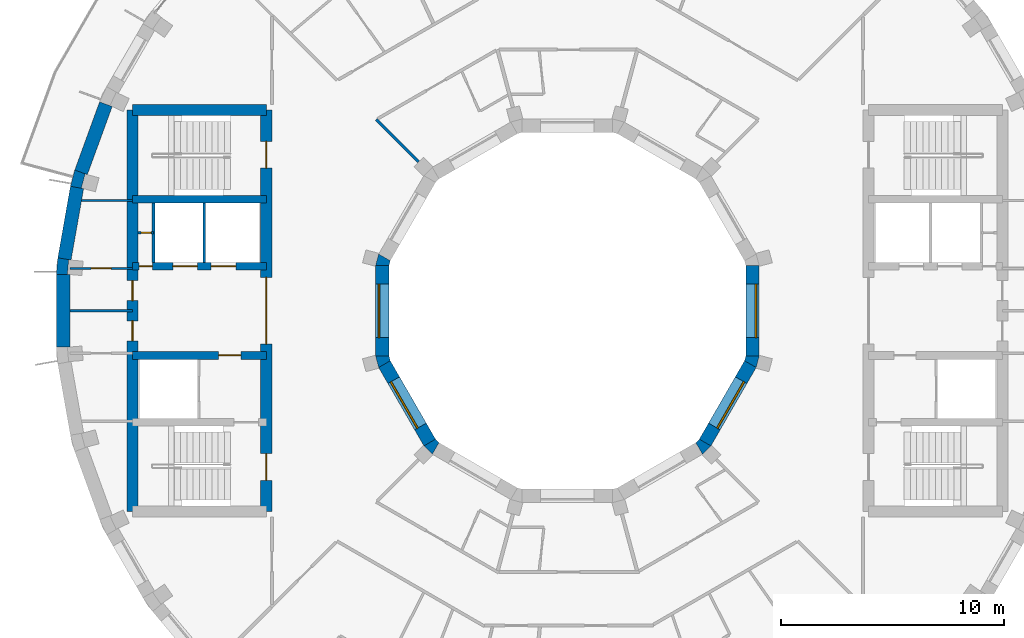
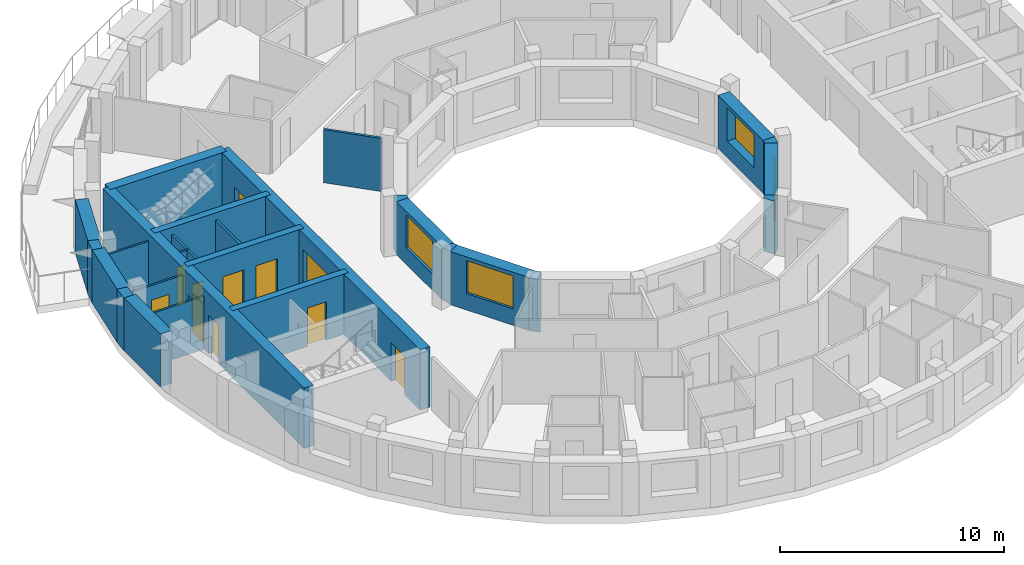
# One storey, part 6 of 12: 27 walls, 11 doors, 4 windows, 15 openings.
"""IFC4 building model written with IfcOpenShell, lengths in metres."""

from ifc_helpers import new_model, si_unit, direction, frame, frame_2d, origin, place, context, subcontext, project, spatial, polyline, rectangle, outline, extrude, material, layer, layer_set, type_object, element, fill, save


model = new_model("IFC4")

# Units and contexts
model_context = context("Model", 3, precision=1e-05, world=origin(), true_north=direction((0.0, 1.0)))
body_context = subcontext(model_context, "Body", "Model", "MODEL_VIEW")
ifc_project = project(units=[si_unit("LENGTHUNIT", "METRE"), si_unit("AREAUNIT", "SQUARE_METRE"), si_unit("VOLUMEUNIT", "CUBIC_METRE"), si_unit("PLANEANGLEUNIT", "RADIAN"), si_unit("MASSUNIT", "GRAM", prefix="KILO")], contexts=[model_context])

# Site, building, storey
site_placement = place(None, origin())
site = spatial("IfcSite", under=ifc_project, at=site_placement, CompositionType="ELEMENT")
building_placement = place(site_placement, origin())
building = spatial("IfcBuilding", under=site, at=building_placement, Name="Saqina Gate Tower", CompositionType="ELEMENT")
storey_placement = place(building_placement, frame((0.0, 0.0, 236.300048828125)))
storey = spatial("IfcBuildingStorey", under=building, at=storey_placement, Name="L67", CompositionType="ELEMENT", Elevation=236.300048828125)

# Walls
ifc_material_1 = material(Name="Brick masonry (buff)", Category="masonry")
wall_type_1 = type_object("IfcWallType", Name="BRICK PIER COPING BUFF", PredefinedType="SOLIDWALL", material=ifc_material_1)
wall_1_placement = place(storey_placement, origin())
element("IfcWall", 1, at=wall_1_placement, inside=storey, type_object=wall_type_1, Name="Pier cap L67 column 17", PredefinedType="SOLIDWALL", context=body_context, shape_type="SweptSolid", body=[
    extrude(outline(polyline([(-22.281982421875, 5.579833984375), (-21.691162109375, 5.4755859375), (-21.793212890625, 5.5029296875), (-21.625, 6.130859375), (-21.52294921875, 6.103515625), (-22.0869140625, 6.30859375), (-22.281982421875, 5.579833984375)])), origin(), (0.0, 0.0, 1.0), 2.89990234375),
])
wall_2_placement = place(storey_placement, origin())
element("IfcWall", 2, at=wall_2_placement, inside=storey, type_object=wall_type_1, Name="Pier cap L67 column 18", PredefinedType="SOLIDWALL", context=body_context, shape_type="SweptSolid", body=[
    extrude(outline(polyline([(-22.8466796875, 2.377685546875), (-22.91259765625, 1.625732421875), (-22.3125, 1.625732421875), (-22.417724609375, 1.635009765625), (-22.361083984375, 2.28271484375), (-22.255859375, 2.2734375), (-22.8466796875, 2.377685546875)])), origin(), (0.0, 0.0, 1.0), 2.89990234375),
])

# Wall, opening, door
ifc_material_2 = material(Name="Gypsum board on steel studs", Category="steel")
ifc_layer_1 = layer(ifc_material_2, 0.10009765625)
ifc_layer_set_1 = layer_set([ifc_layer_1], Name="CORE PARTITION")
wall_type_2 = type_object("IfcWallType", Name="CORE PARTITION", PredefinedType="PARTITIONING", material=ifc_layer_set_1)
wall_3_placement = place(storey_placement, frame((-18.56005859375, 3.5, 0.0), z_axis=(0.0, 0.0, 1.0), x_axis=(-1.0, 0.0, 0.0)))
wall_3 = element("IfcWall", 3, at=wall_3_placement, inside=storey, type_object=wall_type_2, Name="L67-CP-W01", PredefinedType="PARTITIONING", context=body_context, shape_type="SweptSolid", body=[
    extrude(rectangle(XDim=0.68994140625, YDim=0.10009765625, at=frame_2d((0.344970703125, 0.0))), origin(), (0.0, 0.0, 1.0), 2.89990234375),
])
opening_1_placement = place(wall_3_placement, frame((0.10009765625, 0.0, 0.0)))
opening_1 = element("IfcOpeningElement", 4, at=opening_1_placement, cuts=wall_3, Name="Opening G19-D107", PredefinedType="OPENING", context=body_context, shape_type="SweptSolid", body=[
    extrude(rectangle(XDim=0.449951171875, YDim=2.10009765625, at=frame_2d((0.22509765625, 1.050048828125))), frame((0.0, 0.06201171875, 0.0), z_axis=(0.0, -1.0, 0.0), x_axis=(1.0, 0.0, 0.0)), (0.0, 0.0, 1.0), 0.1240234375),
])
ifc_material_3 = material(Name="Steel-framed fire door leaf, EI 60", Category="steel")
door_type_1 = type_object("IfcDoorType", Name="SERVICE ROOM DOOR 450", OperationType="SINGLE_SWING_LEFT", PredefinedType="DOOR", material=ifc_material_3)
door_1_placement = place(opening_1_placement, origin())
door_1 = element("IfcDoor", 5, at=door_1_placement, inside=storey, type_object=door_type_1, Name="L67-CD-W18", OperationType="SINGLE_SWING_RIGHT", OverallHeight=2.10009765625, OverallWidth=0.449951171875, PredefinedType="DOOR", context=body_context, shape_type="SweptSolid", body=[
    extrude(rectangle(XDim=0.449951171875, YDim=2.10009765625, at=frame_2d((0.22509765625, 1.050048828125))), frame((0.0, 0.02490234375, 0.0), z_axis=(0.0, -1.0, 0.0), x_axis=(1.0, 0.0, 0.0)), (0.0, 0.0, 1.0), 0.050048828125),
])
fill(opening_1, door_1)

# Wall
wall_4_placement = place(storey_placement, frame((-19.5, 4.949951171875, 0.0), z_axis=(0.0, 0.0, 1.0), x_axis=(-1.0, 0.0, 0.0)))
element("IfcWall", 6, at=wall_4_placement, inside=storey, type_object=wall_type_2, Name="L67-CP-W02", PredefinedType="PARTITIONING", context=body_context, shape_type="SweptSolid", body=[
    extrude(rectangle(XDim=2.283935546875, YDim=0.10009765625, at=frame_2d((1.14208984375, 0.0))), origin(), (0.0, 0.0, 1.0), 2.89990234375),
])

# Wall, opening, door
wall_5_placement = place(storey_placement, frame((-19.5, 1.89990234375, 0.0), z_axis=(0.0, 0.0, 1.0), x_axis=(-1.0, 0.0, 0.0)))
wall_5 = element("IfcWall", 7, at=wall_5_placement, inside=storey, type_object=wall_type_2, Name="L67-CP-W03", PredefinedType="PARTITIONING", context=body_context, shape_type="SweptSolid", body=[
    extrude(rectangle(XDim=2.8125, YDim=0.10009765625, at=frame_2d((1.40625, 0.0))), origin(), (0.0, 0.0, 1.0), 2.89990234375),
])
opening_2_placement = place(wall_5_placement, frame((0.956298828125, 0.0, 0.0)))
opening_2 = element("IfcOpeningElement", 8, at=opening_2_placement, cuts=wall_5, Name="Opening G19-D103", PredefinedType="OPENING", context=body_context, shape_type="SweptSolid", body=[
    extrude(rectangle(XDim=0.89990234375, YDim=2.10009765625, at=frame_2d((0.449951171875, 1.050048828125))), frame((0.0, 0.06201171875, 0.0), z_axis=(0.0, -1.0, 0.0), x_axis=(1.0, 0.0, 0.0)), (0.0, 0.0, 1.0), 0.1240234375),
])
ifc_material_4 = material(Name="Steel-framed fire door leaf, EI 60", Category="steel")
door_type_2 = type_object("IfcDoorType", Name="SERVICE ROOM DOOR 900", OperationType="SINGLE_SWING_LEFT", PredefinedType="DOOR", material=ifc_material_4)
door_2_placement = place(opening_2_placement, frame((0.89990234375, 0.0, 0.0), z_axis=(0.0, 0.0, 1.0), x_axis=(-1.0, 0.0, 0.0)))
door_2 = element("IfcDoor", 9, at=door_2_placement, inside=storey, type_object=door_type_2, Name="L67-CD-W14", OperationType="SINGLE_SWING_LEFT", OverallHeight=2.10009765625, OverallWidth=0.89990234375, PredefinedType="DOOR", context=body_context, shape_type="SweptSolid", body=[
    extrude(rectangle(XDim=0.89990234375, YDim=2.10009765625, at=frame_2d((0.449951171875, 1.050048828125))), frame((0.0, 0.02490234375, 0.0), z_axis=(0.0, -1.0, 0.0), x_axis=(1.0, 0.0, 0.0)), (0.0, 0.0, 1.0), 0.050048828125),
])
fill(opening_2, door_2)

# Walls
wall_6_placement = place(storey_placement, frame((-19.5, 0.0, 0.0), z_axis=(0.0, 0.0, 1.0), x_axis=(-1.0, 0.0, 0.0)))
element("IfcWall", 10, at=wall_6_placement, inside=storey, type_object=wall_type_2, Name="L67-CP-W06", PredefinedType="PARTITIONING", context=body_context, shape_type="SweptSolid", body=[
    extrude(rectangle(XDim=2.8125, YDim=0.10009765625, at=frame_2d((1.40625, 0.0))), origin(), (0.0, 0.0, 1.0), 2.89990234375),
])
ifc_material_5 = material(Name="Glazed ceramic tile", Category="ceramic")
ifc_layer_2 = layer(ifc_material_5, 0.60009765625)
ifc_layer_set_2 = layer_set([ifc_layer_2], Name="FW-TILE")
wall_type_3 = type_object("IfcWallType", Name="FW-TILE", PredefinedType="SOLIDWALL", material=ifc_layer_set_2)
wall_7_placement = place(storey_placement, frame((-20.692626953125, 9.26171875, 0.0), z_axis=(0.0, 0.0, 1.0), x_axis=(-0.342056509473, -0.939679383794, 0.0)))
element("IfcWall", 11, at=wall_7_placement, inside=storey, type_object=wall_type_3, Name="Facade wall L67 facet 16", PredefinedType="SOLIDWALL", context=body_context, shape_type="SweptSolid", body=[
    extrude(rectangle(XDim=3.251708984375, YDim=0.60009765625, at=frame_2d((1.6259765625, 0.0))), origin(), (0.0, 0.0, 1.0), 2.89990234375),
])
wall_8_placement = place(storey_placement, frame((-22.612548828125, 1.625732421875, 0.0), z_axis=(0.0, 0.0, 1.0), x_axis=(0.0, -1.0, 0.0)))
element("IfcWall", 12, at=wall_8_placement, inside=storey, type_object=wall_type_3, Name="Facade wall L67 facet 18", PredefinedType="SOLIDWALL", context=body_context, shape_type="SweptSolid", body=[
    extrude(rectangle(XDim=3.25146484375, YDim=0.60009765625, at=frame_2d((1.625732421875, 0.0))), origin(), (0.0, 0.0, 1.0), 2.89990234375),
])
ifc_material_6 = material(Name="Glazed ceramic tile (white)", Category="ceramic")
ifc_layer_3 = layer(ifc_material_6, 0.60009765625)
ifc_layer_set_3 = layer_set([ifc_layer_3], Name="FW-TILE-WH")
wall_type_4 = type_object("IfcWallType", Name="FW-TILE-WH", PredefinedType="SOLIDWALL", material=ifc_layer_set_3)
wall_9_placement = place(storey_placement, frame((-21.986572265625, 5.52783203125, 0.0), z_axis=(0.0, 0.0, 1.0), x_axis=(-0.173656842178, -0.984806225186, 0.0)))
element("IfcWall", 13, at=wall_9_placement, inside=storey, type_object=wall_type_4, Name="Facade wall L67 facet 17", PredefinedType="SOLIDWALL", context=body_context, shape_type="SweptSolid", body=[
    extrude(rectangle(XDim=3.251708984375, YDim=0.60009765625, at=frame_2d((1.6259765625, 0.0))), origin(), (0.0, 0.0, 1.0), 2.89990234375),
])

# Wall, opening, window
ifc_material_7 = material(Name="Glazed ceramic tile", Category="ceramic")
ifc_layer_4 = layer(ifc_material_7, 0.60009765625)
ifc_layer_set_4 = layer_set([ifc_layer_4], Name="IW-TILE")
wall_type_5 = type_object("IfcWallType", Name="IW-TILE", PredefinedType="SOLIDWALL", material=ifc_layer_set_4)
wall_10_placement = place(storey_placement, frame((-8.300048828125, 2.029296875, 0.0), z_axis=(0.0, 0.0, 1.0), x_axis=(0.0, -1.0, 0.0)))
wall_10 = element("IfcWall", 14, at=wall_10_placement, inside=storey, type_object=wall_type_5, Name="Well wall L67 facet 6", PredefinedType="SOLIDWALL", context=body_context, shape_type="SweptSolid", body=[
    extrude(rectangle(XDim=4.05859375, YDim=0.60009765625, at=frame_2d((2.029296875, 0.0))), origin(), (0.0, 0.0, 1.0), 2.89990234375),
])
opening_3_placement = place(wall_10_placement, frame((0.829345703125, 0.0, 0.89990234375)))
opening_3 = element("IfcOpeningElement", 15, at=opening_3_placement, cuts=wall_10, Name="Opening G19-W28", PredefinedType="OPENING", context=body_context, shape_type="SweptSolid", body=[
    extrude(rectangle(XDim=2.39990234375, YDim=1.800048828125, at=frame_2d((1.199951171875, 0.89990234375))), frame((0.0, 0.31201171875, 0.0), z_axis=(0.0, -1.0, 0.0), x_axis=(1.0, 0.0, 0.0)), (0.0, 0.0, 1.0), 0.6240234375),
])
ifc_material_8 = material(Name="Aluminium glazing", Category="aluminium")
window_type = type_object("IfcWindowType", Name="WN-W", PartitioningType="SINGLE_PANEL", PredefinedType="WINDOW", material=ifc_material_8)
window_1_placement = place(opening_3_placement, origin())
window_1 = element("IfcWindow", 16, at=window_1_placement, inside=storey, type_object=window_type, Name="Well window L67 facet 6", OverallHeight=1.800048828125, OverallWidth=2.39990234375, PartitioningType="SINGLE_PANEL", PredefinedType="WINDOW", context=body_context, shape_type="SweptSolid", body=[
    extrude(rectangle(XDim=2.39990234375, YDim=1.800048828125, at=frame_2d((1.199951171875, 0.89990234375))), frame((0.0, -0.119873046875, 0.0), z_axis=(0.0, -1.0, 0.0), x_axis=(1.0, 0.0, 0.0)), (0.0, 0.0, 1.0), 0.06005859375),
])
fill(opening_3, window_1)

wall_11_placement = place(storey_placement, frame((-8.20263671875, -2.392578125, 0.0), z_axis=(0.0, 0.0, 1.0), x_axis=(0.499994954979, -0.866028316509, 0.0)))
wall_11 = element("IfcWall", 17, at=wall_11_placement, inside=storey, type_object=wall_type_5, Name="Well wall L67 facet 7", PredefinedType="SOLIDWALL", context=body_context, shape_type="SweptSolid", body=[
    extrude(rectangle(XDim=4.05859375, YDim=0.60009765625, at=frame_2d((2.029296875, 0.0))), origin(), (0.0, 0.0, 1.0), 2.89990234375),
])
opening_4_placement = place(wall_11_placement, frame((0.829345703125, 0.0, 0.89990234375)))
opening_4 = element("IfcOpeningElement", 18, at=opening_4_placement, cuts=wall_11, Name="Opening G19-W29", PredefinedType="OPENING", context=body_context, shape_type="SweptSolid", body=[
    extrude(rectangle(XDim=2.39990234375, YDim=1.800048828125, at=frame_2d((1.199951171875, 0.89990234375))), frame((0.0, 0.31201171875, 0.0), z_axis=(0.0, -1.0, 0.0), x_axis=(1.0, 0.0, 0.0)), (0.0, 0.0, 1.0), 0.6240234375),
])
window_2_placement = place(opening_4_placement, origin())
window_2 = element("IfcWindow", 19, at=window_2_placement, inside=storey, type_object=window_type, Name="Well window L67 facet 7", OverallHeight=1.800048828125, OverallWidth=2.39990234375, PartitioningType="SINGLE_PANEL", PredefinedType="WINDOW", context=body_context, shape_type="SweptSolid", body=[
    extrude(rectangle(XDim=2.39990234375, YDim=1.800048828125, at=frame_2d((1.199951171875, 0.89990234375))), frame((0.0, -0.119873046875, 0.0), z_axis=(0.0, -1.0, 0.0), x_axis=(1.0, 0.0, 0.0)), (0.0, 0.0, 1.0), 0.06005859375),
])
fill(opening_4, window_2)

wall_12_placement = place(storey_placement, frame((6.17333984375, -5.907470703125, 0.0), z_axis=(0.0, 0.0, 1.0), x_axis=(0.499994954979, 0.866028316509, 0.0)))
wall_12 = element("IfcWall", 20, at=wall_12_placement, inside=storey, type_object=wall_type_5, Name="Well wall L67 facet 11", PredefinedType="SOLIDWALL", context=body_context, shape_type="SweptSolid", body=[
    extrude(rectangle(XDim=4.05859375, YDim=0.60009765625, at=frame_2d((2.029296875, 0.0))), origin(), (0.0, 0.0, 1.0), 2.89990234375),
])
opening_5_placement = place(wall_12_placement, frame((0.829345703125, 0.0, 0.89990234375)))
opening_5 = element("IfcOpeningElement", 21, at=opening_5_placement, cuts=wall_12, Name="Opening G19-W33", PredefinedType="OPENING", context=body_context, shape_type="SweptSolid", body=[
    extrude(rectangle(XDim=2.39990234375, YDim=1.800048828125, at=frame_2d((1.199951171875, 0.89990234375))), frame((0.0, 0.31201171875, 0.0), z_axis=(0.0, -1.0, 0.0), x_axis=(1.0, 0.0, 0.0)), (0.0, 0.0, 1.0), 0.6240234375),
])
window_3_placement = place(opening_5_placement, origin())
window_3 = element("IfcWindow", 22, at=window_3_placement, inside=storey, type_object=window_type, Name="Well window L67 facet 11", OverallHeight=1.800048828125, OverallWidth=2.39990234375, PartitioningType="SINGLE_PANEL", PredefinedType="WINDOW", context=body_context, shape_type="SweptSolid", body=[
    extrude(rectangle(XDim=2.39990234375, YDim=1.800048828125, at=frame_2d((1.199951171875, 0.89990234375))), frame((0.0, -0.119873046875, 0.0), z_axis=(0.0, -1.0, 0.0), x_axis=(1.0, 0.0, 0.0)), (0.0, 0.0, 1.0), 0.06005859375),
])
fill(opening_5, window_3)

wall_13_placement = place(storey_placement, frame((8.300048828125, -2.029296875, 0.0), z_axis=(0.0, 0.0, 1.0), x_axis=(0.0, 1.0, 0.0)))
wall_13 = element("IfcWall", 23, at=wall_13_placement, inside=storey, type_object=wall_type_5, Name="Well wall L67 facet 12", PredefinedType="SOLIDWALL", context=body_context, shape_type="SweptSolid", body=[
    extrude(rectangle(XDim=4.05859375, YDim=0.60009765625, at=frame_2d((2.029296875, 0.0))), origin(), (0.0, 0.0, 1.0), 2.89990234375),
])
opening_6_placement = place(wall_13_placement, frame((0.829345703125, 0.0, 0.89990234375)))
opening_6 = element("IfcOpeningElement", 24, at=opening_6_placement, cuts=wall_13, Name="Opening G19-W34", PredefinedType="OPENING", context=body_context, shape_type="SweptSolid", body=[
    extrude(rectangle(XDim=2.39990234375, YDim=1.800048828125, at=frame_2d((1.199951171875, 0.89990234375))), frame((0.0, 0.31201171875, 0.0), z_axis=(0.0, -1.0, 0.0), x_axis=(1.0, 0.0, 0.0)), (0.0, 0.0, 1.0), 0.6240234375),
])
window_4_placement = place(opening_6_placement, origin())
window_4 = element("IfcWindow", 25, at=window_4_placement, inside=storey, type_object=window_type, Name="Well window L67 facet 12", OverallHeight=1.800048828125, OverallWidth=2.39990234375, PartitioningType="SINGLE_PANEL", PredefinedType="WINDOW", context=body_context, shape_type="SweptSolid", body=[
    extrude(rectangle(XDim=2.39990234375, YDim=1.800048828125, at=frame_2d((1.199951171875, 0.89990234375))), frame((0.0, -0.119873046875, 0.0), z_axis=(0.0, -1.0, 0.0), x_axis=(1.0, 0.0, 0.0)), (0.0, 0.0, 1.0), 0.06005859375),
])
fill(opening_6, window_4)

# Walls
ifc_material_9 = material(Name="Gypsum board on steel studs, 125 mm, fire rated", Category="steel")
ifc_layer_5 = layer(ifc_material_9, 0.125)
ifc_layer_set_5 = layer_set([ifc_layer_5], Name="PARTITION EI 30 125")
wall_type_6 = type_object("IfcWallType", Name="PARTITION EI 30 125", PredefinedType="PARTITIONING", material=ifc_layer_set_5)
wall_14_placement = place(storey_placement, frame((-8.572021484375, 8.572021484375, 0.0), z_axis=(0.0, 0.0, 1.0), x_axis=(0.707106781187, -0.707106781187, 0.0)))
element("IfcWall", 26, at=wall_14_placement, inside=storey, type_object=wall_type_6, Name="PARTITION PW1-05", PredefinedType="PARTITIONING", context=body_context, shape_type="SweptSolid", body=[
    extrude(rectangle(XDim=2.680419921875, YDim=0.125, at=frame_2d((1.34033203125, 0.0))), origin(), (0.0, 0.0, 1.0), 2.89990234375),
])
ifc_material_10 = material(Name="Autoclaved aerated concrete block", Category="concrete")
ifc_layer_6 = layer(ifc_material_10, 0.1201171875)
ifc_layer_set_6 = layer_set([ifc_layer_6], Name="SHAFT PARTITION")
wall_type_7 = type_object("IfcWallType", Name="SHAFT PARTITION", PredefinedType="PARTITIONING", material=ifc_layer_set_6)
for number, where, z_axis, x_axis, name in (
    (27, (-16.280029296875, 2.175048828125, 0.0), (0.0, 0.0, 1.0), (0.0, 1.0, 0.0), "L67-CP-W07"),
    (28, (-18.56005859375, 2.175048828125, 0.0), (0.0, 0.0, 1.0), (0.0, 1.0, 0.0), "L67-CP-W08"),
):
    element("IfcWall", number, at=place(storey_placement, frame(where, z_axis=z_axis, x_axis=x_axis)), inside=storey, type_object=wall_type_7, Name=name, PredefinedType="PARTITIONING", context=body_context, shape_type="SweptSolid", body=[
        extrude(rectangle(XDim=2.64990234375, YDim=0.1201171875, at=frame_2d((1.324951171875, 0.0))), origin(), (0.0, 0.0, 1.0), 2.89990234375),
    ])
ifc_material_11 = material(Name="Concrete C60/75", Category="concrete")
ifc_layer_7 = layer(ifc_material_11, 0.35009765625)
ifc_layer_set_7 = layer_set([ifc_layer_7], Name="Concrete C60/75")
wall_type_8 = type_object("IfcWallType", Name="STR-CORE WALL-D-I", PredefinedType="SHEAR", material=ifc_layer_set_7)
wall_15_placement = place(storey_placement, frame((-13.5, 5.0, 0.0), z_axis=(0.0, 0.0, 1.0), x_axis=(-1.0, 0.0, 0.0)))
element("IfcWall", 29, at=wall_15_placement, inside=storey, type_object=wall_type_8, Name="CORE WALL L67 W-X1", PredefinedType="SHEAR", context=body_context, shape_type="SweptSolid", body=[
    extrude(rectangle(XDim=6.0, YDim=0.35009765625, at=frame_2d((3.0, 0.0))), origin(), (0.0, 0.0, 1.0), 3.300048828125),
])

# Wall, openings, doors
wall_16_placement = place(storey_placement, frame((-13.5, 2.0, 0.0), z_axis=(0.0, 0.0, 1.0), x_axis=(-1.0, 0.0, 0.0)))
wall_16 = element("IfcWall", 30, at=wall_16_placement, inside=storey, type_object=wall_type_8, Name="CORE WALL L67 W-L1", PredefinedType="SHEAR", context=body_context, shape_type="SweptSolid", body=[
    extrude(rectangle(XDim=6.0, YDim=0.35009765625, at=frame_2d((3.0, 0.0))), origin(), (0.0, 0.0, 1.0), 3.300048828125),
])
opening_7_placement = place(wall_16_placement, frame((1.3701171875, 0.0, 0.0)))
opening_7 = element("IfcOpeningElement", 31, at=opening_7_placement, cuts=wall_16, Name="Opening G19-LD4", PredefinedType="OPENING", context=body_context, shape_type="SweptSolid", body=[
    extrude(rectangle(XDim=1.10009765625, YDim=2.10009765625, at=frame_2d((0.550048828125, 1.050048828125))), frame((0.0, 0.18701171875, 0.0), z_axis=(0.0, -1.0, 0.0), x_axis=(1.0, 0.0, 0.0)), (0.0, 0.0, 1.0), 0.3740234375),
])
opening_8_placement = place(wall_16_placement, frame((3.090087890625, 0.0, 0.0)))
opening_8 = element("IfcOpeningElement", 32, at=opening_8_placement, cuts=wall_16, Name="Opening G19-LD5", PredefinedType="OPENING", context=body_context, shape_type="SweptSolid", body=[
    extrude(rectangle(XDim=1.10009765625, YDim=2.10009765625, at=frame_2d((0.550048828125, 1.050048828125))), frame((0.0, 0.18701171875, 0.0), z_axis=(0.0, -1.0, 0.0), x_axis=(1.0, 0.0, 0.0)), (0.0, 0.0, 1.0), 0.3740234375),
])
opening_9_placement = place(wall_16_placement, frame((5.10498046875, 0.0, 0.0)))
opening_9 = element("IfcOpeningElement", 33, at=opening_9_placement, cuts=wall_16, Name="Opening G19-D101", PredefinedType="OPENING", context=body_context, shape_type="SweptSolid", body=[
    extrude(rectangle(XDim=0.60009765625, YDim=2.10009765625, at=frame_2d((0.300048828125, 1.050048828125))), frame((0.0, 0.18701171875, 0.0), z_axis=(0.0, -1.0, 0.0), x_axis=(1.0, 0.0, 0.0)), (0.0, 0.0, 1.0), 0.3740234375),
])
ifc_material_12 = material(Name="Stainless steel", Category="steel")
door_type_3 = type_object("IfcDoorType", Name="LANDING DOOR", OperationType="DOUBLE_DOOR_SLIDING", PredefinedType="DOOR", material=ifc_material_12)
door_3_placement = place(opening_7_placement, origin())
door_3 = element("IfcDoor", 34, at=door_3_placement, inside=storey, type_object=door_type_3, Name="LANDING DOOR HR3", OperationType="DOUBLE_DOOR_SLIDING", OverallHeight=2.10009765625, OverallWidth=1.10009765625, PredefinedType="DOOR", context=body_context, shape_type="SweptSolid", body=[
    extrude(rectangle(XDim=1.10009765625, YDim=2.10009765625, at=frame_2d((0.550048828125, 1.050048828125))), frame((0.0, 0.02490234375, 0.0), z_axis=(0.0, -1.0, 0.0), x_axis=(1.0, 0.0, 0.0)), (0.0, 0.0, 1.0), 0.050048828125),
])
fill(opening_7, door_3)
door_4_placement = place(opening_8_placement, origin())
door_4 = element("IfcDoor", 35, at=door_4_placement, inside=storey, type_object=door_type_3, Name="LANDING DOOR HR4", OperationType="DOUBLE_DOOR_SLIDING", OverallHeight=2.10009765625, OverallWidth=1.10009765625, PredefinedType="DOOR", context=body_context, shape_type="SweptSolid", body=[
    extrude(rectangle(XDim=1.10009765625, YDim=2.10009765625, at=frame_2d((0.550048828125, 1.050048828125))), frame((0.0, 0.02490234375, 0.0), z_axis=(0.0, -1.0, 0.0), x_axis=(1.0, 0.0, 0.0)), (0.0, 0.0, 1.0), 0.050048828125),
])
fill(opening_8, door_4)
ifc_material_13 = material(Name="Steel-framed fire door leaf, EI 60", Category="steel")
door_type_4 = type_object("IfcDoorType", Name="SERVICE ROOM DOOR 600", OperationType="SINGLE_SWING_LEFT", PredefinedType="DOOR", material=ifc_material_13)
door_5_placement = place(opening_9_placement, frame((0.60009765625, 0.0, 0.0), z_axis=(0.0, 0.0, 1.0), x_axis=(-1.0, 0.0, 0.0)))
door_5 = element("IfcDoor", 36, at=door_5_placement, inside=storey, type_object=door_type_4, Name="L67-CD-W12", OperationType="SINGLE_SWING_LEFT", OverallHeight=2.10009765625, OverallWidth=0.60009765625, PredefinedType="DOOR", context=body_context, shape_type="SweptSolid", body=[
    extrude(rectangle(XDim=0.60009765625, YDim=2.10009765625, at=frame_2d((0.300048828125, 1.050048828125))), frame((0.0, 0.02490234375, 0.0), z_axis=(0.0, -1.0, 0.0), x_axis=(1.0, 0.0, 0.0)), (0.0, 0.0, 1.0), 0.050048828125),
])
fill(opening_9, door_5)

# Wall, opening, door
wall_17_placement = place(storey_placement, frame((-13.5, -2.0, 0.0), z_axis=(0.0, 0.0, 1.0), x_axis=(-1.0, 0.0, 0.0)))
wall_17 = element("IfcWall", 37, at=wall_17_placement, inside=storey, type_object=wall_type_8, Name="CORE WALL L67 W-L2", PredefinedType="SHEAR", context=body_context, shape_type="SweptSolid", body=[
    extrude(rectangle(XDim=6.0, YDim=0.35009765625, at=frame_2d((3.0, 0.0))), origin(), (0.0, 0.0, 1.0), 3.300048828125),
])
opening_10_placement = place(wall_17_placement, frame((1.139892578125, 0.0, 0.0)))
opening_10 = element("IfcOpeningElement", 38, at=opening_10_placement, cuts=wall_17, Name="Opening G19-D102", PredefinedType="OPENING", context=body_context, shape_type="SweptSolid", body=[
    extrude(rectangle(XDim=1.0, YDim=2.10009765625, at=frame_2d((0.5, 1.050048828125))), frame((0.0, 0.18701171875, 0.0), z_axis=(0.0, -1.0, 0.0), x_axis=(1.0, 0.0, 0.0)), (0.0, 0.0, 1.0), 0.3740234375),
])
ifc_material_14 = material(Name="Steel", Category="steel")
door_type_5 = type_object("IfcDoorType", Name="FIRE LOBBY DOOR EI 60", OperationType="SINGLE_SWING_LEFT", PredefinedType="DOOR", material=ifc_material_14)
door_6_placement = place(opening_10_placement, frame((1.0, 0.0, 0.0), z_axis=(0.0, 0.0, 1.0), x_axis=(-1.0, 0.0, 0.0)))
door_6 = element("IfcDoor", 39, at=door_6_placement, inside=storey, type_object=door_type_5, Name="L67-CD-W13", OperationType="SINGLE_SWING_RIGHT", OverallHeight=2.10009765625, OverallWidth=1.0, PredefinedType="DOOR", context=body_context, shape_type="SweptSolid", body=[
    extrude(rectangle(XDim=1.0, YDim=2.10009765625, at=frame_2d((0.5, 1.050048828125))), frame((0.0, 0.02490234375, 0.0), z_axis=(0.0, -1.0, 0.0), x_axis=(1.0, 0.0, 0.0)), (0.0, 0.0, 1.0), 0.050048828125),
])
fill(opening_10, door_6)

# Wall, openings, doors
ifc_material_15 = material(Name="Concrete C60/75", Category="concrete")
ifc_layer_8 = layer(ifc_material_15, 0.5)
ifc_layer_set_8 = layer_set([ifc_layer_8], Name="Concrete C60/75")
wall_type_9 = type_object("IfcWallType", Name="STR-CORE WALL-D-O", PredefinedType="SHEAR", material=ifc_layer_set_8)
wall_18_placement = place(storey_placement, frame((-13.5, -9.0, 0.0), z_axis=(0.0, 0.0, 1.0), x_axis=(0.0, 1.0, 0.0)))
wall_18 = element("IfcWall", 40, at=wall_18_placement, inside=storey, type_object=wall_type_9, Name="CORE WALL L67 W-W1", PredefinedType="SHEAR", context=body_context, shape_type="SweptSolid", body=[
    extrude(rectangle(XDim=18.0, YDim=0.5, at=frame_2d((9.0, 0.0))), origin(), (0.0, 0.0, 1.0), 3.300048828125),
])
opening_11_placement = place(wall_18_placement, frame((15.39990234375, 0.0, 0.0)))
opening_11 = element("IfcOpeningElement", 41, at=opening_11_placement, cuts=wall_18, Name="Opening G19-D109", PredefinedType="OPENING", context=body_context, shape_type="SweptSolid", body=[
    extrude(rectangle(XDim=1.199951171875, YDim=2.10009765625, at=frame_2d((0.60009765625, 1.050048828125))), frame((0.0, 0.261962890625, 0.0), z_axis=(0.0, -1.0, 0.0), x_axis=(1.0, 0.0, 0.0)), (0.0, 0.0, 1.0), 0.52392578125),
])
opening_12_placement = place(wall_18_placement, frame((1.39990234375, 0.0, 0.0)))
opening_12 = element("IfcOpeningElement", 42, at=opening_12_placement, cuts=wall_18, Name="Opening G19-D110", PredefinedType="OPENING", context=body_context, shape_type="SweptSolid", body=[
    extrude(rectangle(XDim=1.199951171875, YDim=2.10009765625, at=frame_2d((0.60009765625, 1.050048828125))), frame((0.0, 0.261962890625, 0.0), z_axis=(0.0, -1.0, 0.0), x_axis=(1.0, 0.0, 0.0)), (0.0, 0.0, 1.0), 0.52392578125),
])
opening_13_placement = place(wall_18_placement, frame((7.5, 0.0, 0.0)))
opening_13 = element("IfcOpeningElement", 43, at=opening_13_placement, cuts=wall_18, Name="Opening G19-D111", PredefinedType="OPENING", context=body_context, shape_type="SweptSolid", body=[
    extrude(rectangle(XDim=3.0, YDim=2.39990234375, at=frame_2d((1.5, 1.199951171875))), frame((0.0, 0.261962890625, 0.0), z_axis=(0.0, -1.0, 0.0), x_axis=(1.0, 0.0, 0.0)), (0.0, 0.0, 1.0), 0.52392578125),
])
ifc_material_16 = material(Name="Steel", Category="steel")
door_type_6 = type_object("IfcDoorType", Name="FIRE DOOR EI 60", OperationType="SINGLE_SWING_LEFT", PredefinedType="DOOR", material=ifc_material_16)
door_7_placement = place(opening_11_placement, origin())
door_7 = element("IfcDoor", 44, at=door_7_placement, inside=storey, type_object=door_type_6, Name="L67-CD-W20", OperationType="SINGLE_SWING_RIGHT", OverallHeight=2.10009765625, OverallWidth=1.199951171875, PredefinedType="DOOR", context=body_context, shape_type="SweptSolid", body=[
    extrude(rectangle(XDim=1.199951171875, YDim=2.10009765625, at=frame_2d((0.60009765625, 1.050048828125))), frame((0.0, 0.02490234375, 0.0), z_axis=(0.0, -1.0, 0.0), x_axis=(1.0, 0.0, 0.0)), (0.0, 0.0, 1.0), 0.050048828125),
])
fill(opening_11, door_7)
door_8_placement = place(opening_12_placement, origin())
door_8 = element("IfcDoor", 45, at=door_8_placement, inside=storey, type_object=door_type_6, Name="L67-CD-W21", OperationType="SINGLE_SWING_LEFT", OverallHeight=2.10009765625, OverallWidth=1.199951171875, PredefinedType="DOOR", context=body_context, shape_type="SweptSolid", body=[
    extrude(rectangle(XDim=1.199951171875, YDim=2.10009765625, at=frame_2d((0.60009765625, 1.050048828125))), frame((0.0, 0.02490234375, 0.0), z_axis=(0.0, -1.0, 0.0), x_axis=(1.0, 0.0, 0.0)), (0.0, 0.0, 1.0), 0.050048828125),
])
fill(opening_12, door_8)
ifc_material_17 = material(Name="Steel and fire-resisting glass", Category="steel")
door_type_7 = type_object("IfcDoorType", Name="LOBBY SCREEN DOOR", OperationType="DOUBLE_DOOR_SLIDING", PredefinedType="DOOR", material=ifc_material_17)
door_9_placement = place(opening_13_placement, origin())
door_9 = element("IfcDoor", 46, at=door_9_placement, inside=storey, type_object=door_type_7, Name="L67-CD-W22", OperationType="DOUBLE_DOOR_SLIDING", OverallHeight=2.39990234375, OverallWidth=3.0, PredefinedType="DOOR", context=body_context, shape_type="SweptSolid", body=[
    extrude(rectangle(XDim=3.0, YDim=2.39990234375, at=frame_2d((1.5, 1.199951171875))), frame((0.0, 0.02490234375, 0.0), z_axis=(0.0, -1.0, 0.0), x_axis=(1.0, 0.0, 0.0)), (0.0, 0.0, 1.0), 0.050048828125),
])
fill(opening_13, door_9)

wall_19_placement = place(storey_placement, frame((-19.5, -9.0, 0.0), z_axis=(0.0, 0.0, 1.0), x_axis=(0.0, 1.0, 0.0)))
wall_19 = element("IfcWall", 47, at=wall_19_placement, inside=storey, type_object=wall_type_9, Name="CORE WALL L67 W-W2", PredefinedType="SHEAR", context=body_context, shape_type="SweptSolid", body=[
    extrude(rectangle(XDim=18.0, YDim=0.5, at=frame_2d((9.0, 0.0))), origin(), (0.0, 0.0, 1.0), 3.300048828125),
])
opening_14_placement = place(wall_19_placement, frame((9.449951171875, 0.0, 0.0)))
opening_14 = element("IfcOpeningElement", 48, at=opening_14_placement, cuts=wall_19, Name="Opening G19-D104", PredefinedType="OPENING", context=body_context, shape_type="SweptSolid", body=[
    extrude(rectangle(XDim=0.89990234375, YDim=2.10009765625, at=frame_2d((0.449951171875, 1.050048828125))), frame((0.0, 0.261962890625, 0.0), z_axis=(0.0, -1.0, 0.0), x_axis=(1.0, 0.0, 0.0)), (0.0, 0.0, 1.0), 0.52392578125),
])
opening_15_placement = place(wall_19_placement, frame((7.64990234375, 0.0, 0.0)))
opening_15 = element("IfcOpeningElement", 49, at=opening_15_placement, cuts=wall_19, Name="Opening G19-D106", PredefinedType="OPENING", context=body_context, shape_type="SweptSolid", body=[
    extrude(rectangle(XDim=0.89990234375, YDim=2.10009765625, at=frame_2d((0.449951171875, 1.050048828125))), frame((0.0, 0.261962890625, 0.0), z_axis=(0.0, -1.0, 0.0), x_axis=(1.0, 0.0, 0.0)), (0.0, 0.0, 1.0), 0.52392578125),
])
door_10_placement = place(opening_14_placement, origin())
door_10 = element("IfcDoor", 50, at=door_10_placement, inside=storey, type_object=door_type_2, Name="L67-CD-W15", OperationType="SINGLE_SWING_RIGHT", OverallHeight=2.10009765625, OverallWidth=0.89990234375, PredefinedType="DOOR", context=body_context, shape_type="SweptSolid", body=[
    extrude(rectangle(XDim=0.89990234375, YDim=2.10009765625, at=frame_2d((0.449951171875, 1.050048828125))), frame((0.0, 0.02490234375, 0.0), z_axis=(0.0, -1.0, 0.0), x_axis=(1.0, 0.0, 0.0)), (0.0, 0.0, 1.0), 0.050048828125),
])
fill(opening_14, door_10)
door_11_placement = place(opening_15_placement, origin())
door_11 = element("IfcDoor", 51, at=door_11_placement, inside=storey, type_object=door_type_2, Name="L67-CD-W17", OperationType="SINGLE_SWING_LEFT", OverallHeight=2.10009765625, OverallWidth=0.89990234375, PredefinedType="DOOR", context=body_context, shape_type="SweptSolid", body=[
    extrude(rectangle(XDim=0.89990234375, YDim=2.10009765625, at=frame_2d((0.449951171875, 1.050048828125))), frame((0.0, 0.02490234375, 0.0), z_axis=(0.0, -1.0, 0.0), x_axis=(1.0, 0.0, 0.0)), (0.0, 0.0, 1.0), 0.050048828125),
])
fill(opening_15, door_11)

# Walls
wall_20_placement = place(storey_placement, frame((-13.5, 9.0, 0.0), z_axis=(0.0, 0.0, 1.0), x_axis=(-1.0, 0.0, 0.0)))
element("IfcWall", 52, at=wall_20_placement, inside=storey, type_object=wall_type_9, Name="CORE WALL L67 W-NE", PredefinedType="SHEAR", context=body_context, shape_type="SweptSolid", body=[
    extrude(rectangle(XDim=6.0, YDim=0.5, at=frame_2d((3.0, 0.0))), origin(), (0.0, 0.0, 1.0), 3.300048828125),
])
ifc_material_18 = material(Name="Glazed ceramic tile", Category="ceramic")
wall_type_10 = type_object("IfcWallType", Name="TILE PIER COPING", PredefinedType="SOLIDWALL", material=ifc_material_18)
wall_21_placement = place(storey_placement, origin())
element("IfcWall", 53, at=wall_21_placement, inside=storey, type_object=wall_type_10, Name="Well pier cap L67 column 6", PredefinedType="SOLIDWALL", context=body_context, shape_type="SweptSolid", body=[
    extrude(outline(polyline([(-8.60009765625, 2.029296875), (-8.0, 2.029296875), (-7.94287109375, 2.242431640625), (-8.46240234375, 2.54248046875), (-8.60009765625, 2.029296875)])), origin(), (0.0, 0.0, 1.0), 2.89990234375),
])
wall_22_placement = place(storey_placement, origin())
element("IfcWall", 54, at=wall_22_placement, inside=storey, type_object=wall_type_10, Name="Well pier cap L67 column 7", PredefinedType="SOLIDWALL", context=body_context, shape_type="SweptSolid", body=[
    extrude(outline(polyline([(-8.46240234375, -2.54248046875), (-7.94287109375, -2.242431640625), (-8.0, -2.029296875), (-8.60009765625, -2.029296875), (-8.46240234375, -2.54248046875)])), origin(), (0.0, 0.0, 1.0), 2.89990234375),
])
wall_23_placement = place(storey_placement, origin())
element("IfcWall", 55, at=wall_23_placement, inside=storey, type_object=wall_type_10, Name="Well pier cap L67 column 8", PredefinedType="SOLIDWALL", context=body_context, shape_type="SweptSolid", body=[
    extrude(outline(polyline([(-6.0576171875, -6.43310546875), (-5.757568359375, -5.91357421875), (-5.91357421875, -5.757568359375), (-6.43310546875, -6.0576171875), (-6.0576171875, -6.43310546875)])), origin(), (0.0, 0.0, 1.0), 2.89990234375),
])
wall_24_placement = place(storey_placement, origin())
element("IfcWall", 56, at=wall_24_placement, inside=storey, type_object=wall_type_10, Name="Well pier cap L67 column 11", PredefinedType="SOLIDWALL", context=body_context, shape_type="SweptSolid", body=[
    extrude(outline(polyline([(6.43310546875, -6.0576171875), (5.91357421875, -5.757568359375), (5.757568359375, -5.91357421875), (6.0576171875, -6.43310546875), (6.43310546875, -6.0576171875)])), origin(), (0.0, 0.0, 1.0), 2.89990234375),
])
wall_25_placement = place(storey_placement, origin())
element("IfcWall", 57, at=wall_25_placement, inside=storey, type_object=wall_type_10, Name="Well pier cap L67 column 12", PredefinedType="SOLIDWALL", context=body_context, shape_type="SweptSolid", body=[
    extrude(outline(polyline([(8.60009765625, -2.029296875), (8.0, -2.029296875), (7.94287109375, -2.242431640625), (8.46240234375, -2.54248046875), (8.60009765625, -2.029296875)])), origin(), (0.0, 0.0, 1.0), 2.89990234375),
])

save(model, "model.ifc")
